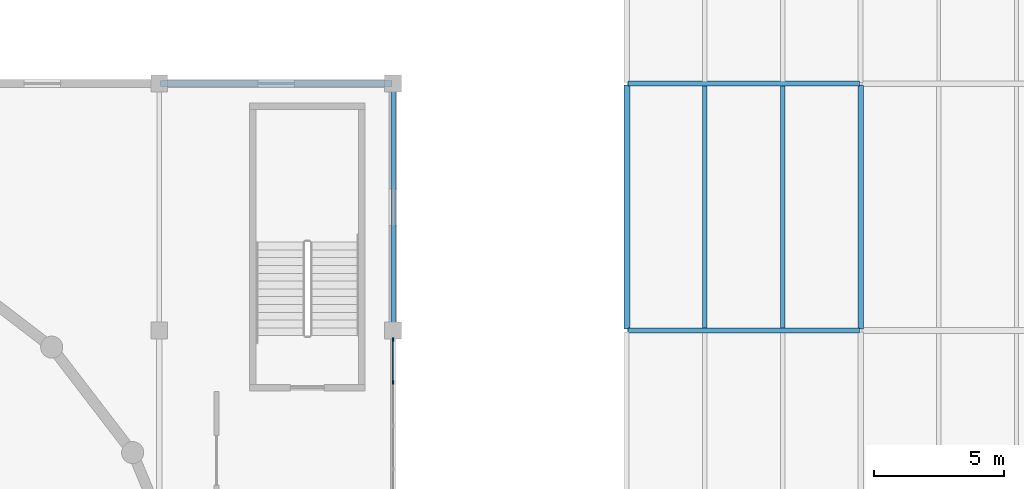
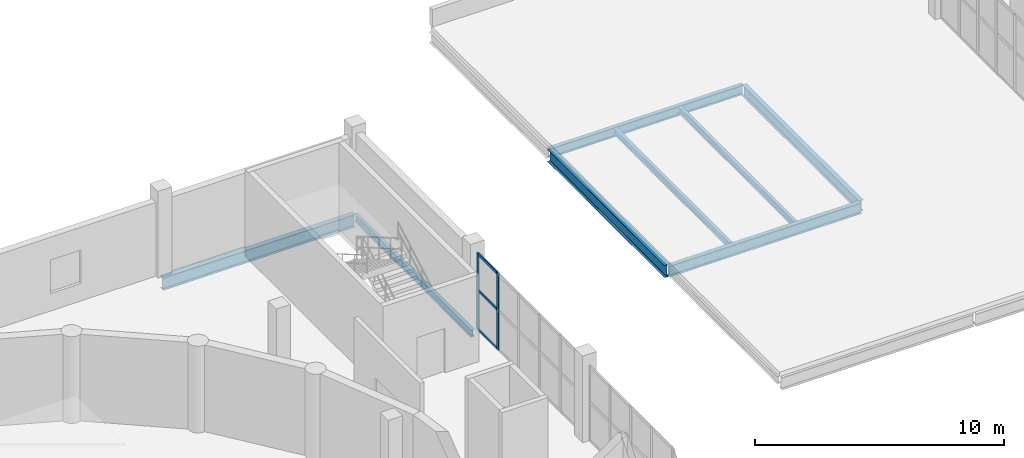
# One storey, part 26 of 54: 8 beams, 5 members, 1 element without a shape of its own.
"""IFC4 building model written with IfcOpenShell, lengths in metres."""

from ifc_helpers import new_model, si_unit, direction, frame, origin, origin_2d, place, context, subcontext, project, spatial, rectangle, i_section, extrude, material, layer, layer_set, material_profile, profile_set, type_object, element, aggregate, save


model = new_model("IFC4")

# Units and contexts
model_context = context("Model", 3, precision=1e-05, world=origin(), true_north=direction((0.0, 1.0)))
body_context = subcontext(model_context, "Body", "Model", "MODEL_VIEW")
ifc_project = project(units=[si_unit("LENGTHUNIT", "METRE"), si_unit("AREAUNIT", "SQUARE_METRE"), si_unit("VOLUMEUNIT", "CUBIC_METRE"), si_unit("PLANEANGLEUNIT", "RADIAN"), si_unit("MASSUNIT", "GRAM", prefix="KILO")], contexts=[model_context])

# Site, building, storey
site_placement = place(None, origin())
site = spatial("IfcSite", under=ifc_project, at=site_placement, CompositionType="ELEMENT")
building_placement = place(site_placement, origin())
building = spatial("IfcBuilding", under=site, at=building_placement, Name="Marnock Terrace Opera House", CompositionType="ELEMENT")
storey_placement = place(building_placement, frame((0.0, 0.0, 19.199951171875)))
storey = spatial("IfcBuildingStorey", under=building, at=storey_placement, Name="L04", CompositionType="ELEMENT", Elevation=19.199951171875)

# Beams
ifc_material_1 = material(Name="Steel Grade 350 (AS/NZS 3679.1)", Category="steel")
ifc_material_profile_1 = material_profile(ifc_material_1, i_section(OverallWidth=0.1708984375, OverallDepth=0.355712890625, WebThickness=0.00732421875, FlangeThickness=0.011474609375, FilletRadius=0.011474609375, at=origin_2d()))
ifc_profile_set_1 = profile_set([ifc_material_profile_1], Name="Steel Grade 350 (AS/NZS 3679.1)")
beam_type_1 = type_object("IfcBeamType", Name="BM-GIRD-360", PredefinedType="BEAM", material=ifc_profile_set_1)
beam_1_placement = place(storey_placement, frame((109.0, 75.050048828125, -0.427734375), z_axis=(0.0, 1.0, 0.0), x_axis=(-1.0, 0.0, 0.0)))
element("IfcBeam", 1, at=beam_1_placement, inside=storey, type_object=beam_type_1, Name="L04 girder (X=109.0, 75.0..84.5)", PredefinedType="BEAM", context=body_context, shape_type="SweptSolid", body=[
    extrude(i_section(OverallWidth=0.1708984375, OverallDepth=0.355712890625, WebThickness=0.00732421875, FlangeThickness=0.011474609375, FilletRadius=0.011474609375, at=origin_2d()), origin(), (0.0, 0.0, 1.0), 9.39990234375),
])
ifc_material_profile_2 = material_profile(ifc_material_1, i_section(OverallWidth=0.19091796875, OverallDepth=0.46044921875, WebThickness=0.010009765625, FlangeThickness=0.01611328125, FilletRadius=0.011474609375, at=origin_2d()))
ifc_profile_set_2 = profile_set([ifc_material_profile_2], Name="Steel Grade 350 (AS/NZS 3679.1)")
beam_type_2 = type_object("IfcBeamType", Name="BM-GIRD-460A", PredefinedType="BEAM", material=ifc_profile_set_2)
beam_2_placement = place(storey_placement, frame((118.050048828125, 84.5, -0.4501953125), z_axis=(1.0, 0.0, 0.0), x_axis=(0.0, 1.0, 0.0)))
element("IfcBeam", 2, at=beam_2_placement, inside=storey, type_object=beam_type_2, Name="L04 girder (118.0..127.0, Y=84.5)", PredefinedType="BEAM", context=body_context, shape_type="SweptSolid", body=[
    extrude(i_section(OverallWidth=0.19091796875, OverallDepth=0.46044921875, WebThickness=0.010009765625, FlangeThickness=0.01611328125, FilletRadius=0.011474609375, at=origin_2d()), origin(), (0.0, 0.0, 1.0), 8.89990234375),
])
ifc_material_profile_3 = material_profile(ifc_material_1, i_section(OverallWidth=0.208984375, OverallDepth=0.532958984375, WebThickness=0.01025390625, FlangeThickness=0.015625, FilletRadius=0.013916015625, at=origin_2d()))
ifc_profile_set_3 = profile_set([ifc_material_profile_3], Name="Steel Grade 350 (AS/NZS 3679.1)")
beam_type_3 = type_object("IfcBeamType", Name="BM-GIRD-530A", PredefinedType="BEAM", material=ifc_profile_set_3)
beam_3_placement = place(storey_placement, frame((118.050048828125, 75.0, -0.486572265625), z_axis=(1.0, 0.0, 0.0), x_axis=(0.0, 1.0, 0.0)))
element("IfcBeam", 3, at=beam_3_placement, inside=storey, type_object=beam_type_3, Name="L04 girder (118.0..127.0, Y=75.0)", PredefinedType="BEAM", context=body_context, shape_type="SweptSolid", body=[
    extrude(i_section(OverallWidth=0.208984375, OverallDepth=0.532958984375, WebThickness=0.01025390625, FlangeThickness=0.015625, FilletRadius=0.013916015625, at=origin_2d()), origin(), (0.0, 0.0, 1.0), 8.89990234375),
])
ifc_material_profile_4 = material_profile(ifc_material_1, i_section(OverallWidth=0.208984375, OverallDepth=0.528076171875, WebThickness=0.009521484375, FlangeThickness=0.01318359375, FilletRadius=0.013916015625, at=origin_2d()))
ifc_profile_set_4 = profile_set([ifc_material_profile_4], Name="Steel Grade 350 (AS/NZS 3679.1)")
beam_type_4 = type_object("IfcBeamType", Name="BM-GIRD-530B", PredefinedType="BEAM", material=ifc_profile_set_4)
beam_4_placement = place(storey_placement, frame((127.0, 75.050048828125, -0.48388671875), z_axis=(0.0, 1.0, 0.0), x_axis=(-1.0, 0.0, 0.0)))
element("IfcBeam", 4, at=beam_4_placement, inside=storey, type_object=beam_type_4, Name="L04 girder (X=127.0, 75.0..84.5)", PredefinedType="BEAM", context=body_context, shape_type="SweptSolid", body=[
    extrude(i_section(OverallWidth=0.208984375, OverallDepth=0.528076171875, WebThickness=0.009521484375, FlangeThickness=0.01318359375, FilletRadius=0.013916015625, at=origin_2d()), origin(), (0.0, 0.0, 1.0), 9.39990234375),
])
ifc_material_profile_5 = material_profile(ifc_material_1, i_section(OverallWidth=0.22900390625, OverallDepth=0.611572265625, WebThickness=0.011962890625, FlangeThickness=0.01953125, FilletRadius=0.013916015625, at=origin_2d()))
ifc_profile_set_5 = profile_set([ifc_material_profile_5], Name="Steel Grade 350 (AS/NZS 3679.1)")
beam_type_5 = type_object("IfcBeamType", Name="BM-GIRD-610A", PredefinedType="BEAM", material=ifc_profile_set_5)
beam_5_placement = place(storey_placement, frame((100.050048828125, 84.5, -0.5556640625), z_axis=(1.0, 0.0, 0.0), x_axis=(0.0, 1.0, 0.0)))
element("IfcBeam", 5, at=beam_5_placement, inside=storey, type_object=beam_type_5, Name="L04 girder (100.0..109.0, Y=84.5)", PredefinedType="BEAM", context=body_context, shape_type="SweptSolid", body=[
    extrude(i_section(OverallWidth=0.22900390625, OverallDepth=0.611572265625, WebThickness=0.011962890625, FlangeThickness=0.01953125, FilletRadius=0.013916015625, at=origin_2d()), origin(), (0.0, 0.0, 1.0), 8.89990234375),
])
ifc_material_profile_6 = material_profile(ifc_material_1, i_section(OverallWidth=0.22802734375, OverallDepth=0.60205078125, WebThickness=0.010498046875, FlangeThickness=0.014892578125, FilletRadius=0.013916015625, at=origin_2d()))
ifc_profile_set_6 = profile_set([ifc_material_profile_6], Name="Steel Grade 350 (AS/NZS 3679.1)")
beam_type_6 = type_object("IfcBeamType", Name="BM-GIRD-610C", PredefinedType="BEAM", material=ifc_profile_set_6)
beam_6_placement = place(storey_placement, frame((118.0, 75.050048828125, -0.52099609375), z_axis=(0.0, 1.0, 0.0), x_axis=(-1.0, 0.0, 0.0)))
element("IfcBeam", 6, at=beam_6_placement, inside=storey, type_object=beam_type_6, Name="L04 girder (X=118.0, 75.0..84.5)", PredefinedType="BEAM", context=body_context, shape_type="SweptSolid", body=[
    extrude(i_section(OverallWidth=0.22802734375, OverallDepth=0.60205078125, WebThickness=0.010498046875, FlangeThickness=0.014892578125, FilletRadius=0.013916015625, at=origin_2d()), origin(), (0.0, 0.0, 1.0), 9.39990234375),
])
ifc_material_profile_7 = material_profile(ifc_material_1, i_section(OverallWidth=0.166015625, OverallDepth=0.30712890625, WebThickness=0.006591796875, FlangeThickness=0.01171875, FilletRadius=0.011474609375, at=origin_2d()))
ifc_profile_set_7 = profile_set([ifc_material_profile_7], Name="Steel Grade 350 (AS/NZS 3679.1)")
beam_type_7 = type_object("IfcBeamType", Name="BM-JOIST-310A", PredefinedType="JOIST", material=ifc_profile_set_7)
for number, where, z_axis, x_axis, name in (
    (7, (121.0, 75.099609375, -0.37353515625), (0.0, 1.0, 0.0), (-1.0, 0.0, 0.0), "L04 secondary joist 13.9.1"),
    (8, (124.0, 75.099609375, -0.37353515625), (0.0, 1.0, 0.0), (-1.0, 0.0, 0.0), "L04 secondary joist 13.9.2"),
):
    element("IfcBeam", number, at=place(storey_placement, frame(where, z_axis=z_axis, x_axis=x_axis)), inside=storey, type_object=beam_type_7, Name=name, PredefinedType="JOIST", context=body_context, shape_type="SweptSolid", body=[
        extrude(i_section(OverallWidth=0.166015625, OverallDepth=0.30712890625, WebThickness=0.006591796875, FlangeThickness=0.01171875, FilletRadius=0.011474609375, at=origin_2d()), origin(), (0.0, 0.0, 1.0), 9.309814453125),
    ])

# Curtain wall, members
ifc_material_2 = material(Name="Anodised architectural bronze aluminium framing", Category="aluminium")
ifc_layer = layer(ifc_material_2, 0.159912109375)
ifc_layer_set = layer_set([ifc_layer], Name="Anodised architectural bronze aluminium framing")
curtain_wall_type = type_object("IfcCurtainWallType", Name="CW-DRUM-71x39", PredefinedType="NOTDEFINED", material=ifc_layer_set)
curtain_wall_placement = place(storey_placement, origin())
curtain_wall = element("IfcCurtainWall", 9, at=curtain_wall_placement, inside=storey, type_object=curtain_wall_type, Name="L04 glazed Beaux-Arts colonnade curtain wall CW-L04-V1E4", PredefinedType="NOTDEFINED")
ifc_material_profile_8 = material_profile(ifc_material_2, rectangle(XDim=0.06005859375, YDim=0.14990234375, at=origin_2d()))
ifc_profile_set_8 = profile_set([ifc_material_profile_8], Name="Anodised architectural bronze aluminium framing")
member_type_1 = type_object("IfcMemberType", Name="CWM-60x150", PredefinedType="MULLION", material=ifc_profile_set_8)
member_1_placement = place(storey_placement, frame((109.0, 73.00732421875, 0.0), z_axis=(0.0, 0.0, 1.0), x_axis=(-1.0, 0.0, 0.0)))
member_1 = element("IfcMember", 10, at=member_1_placement, type_object=member_type_1, Name="CW-76 mullion 5", PredefinedType="MULLION", context=body_context, shape_type="SweptSolid", body=[
    extrude(rectangle(XDim=0.06005859375, YDim=0.14990234375, at=origin_2d()), origin(), (0.0, 0.0, 1.0), 3.7626953125),
])
member_2_placement = place(storey_placement, frame((109.0, 74.64892578125, 0.0), z_axis=(0.0, 0.0, 1.0), x_axis=(-1.0, 0.0, 0.0)))
member_2 = element("IfcMember", 11, at=member_2_placement, type_object=member_type_1, Name="CW-76 mullion 6", PredefinedType="MULLION", context=body_context, shape_type="SweptSolid", body=[
    extrude(rectangle(XDim=0.06005859375, YDim=0.14990234375, at=origin_2d()), origin(), (0.0, 0.0, 1.0), 3.7626953125),
])
ifc_material_profile_9 = material_profile(ifc_material_2, rectangle(XDim=0.06005859375, YDim=0.1298828125, at=origin_2d()))
ifc_profile_set_9 = profile_set([ifc_material_profile_9], Name="Anodised architectural bronze aluminium framing")
member_type_2 = type_object("IfcMemberType", Name="CWT-60x130", PredefinedType="USERDEFINED", material=ifc_profile_set_9)
member_3_placement = place(storey_placement, frame((109.0, 73.037353515625, 0.030029296875), z_axis=(0.0, 1.0, 0.0), x_axis=(-1.0, 0.0, 0.0)))
member_3 = element("IfcMember", 12, at=member_3_placement, type_object=member_type_2, Name="CW-76 transom 5.1", ObjectType="TRANSOM", PredefinedType="USERDEFINED", context=body_context, shape_type="SweptSolid", body=[
    extrude(rectangle(XDim=0.06005859375, YDim=0.1298828125, at=origin_2d()), origin(), (0.0, 0.0, 1.0), 1.58154296875),
])
member_4_placement = place(storey_placement, frame((109.0, 73.037353515625, 1.95654296875), z_axis=(0.0, 1.0, 0.0), x_axis=(-1.0, 0.0, 0.0)))
member_4 = element("IfcMember", 13, at=member_4_placement, type_object=member_type_2, Name="CW-76 transom 5.2", ObjectType="TRANSOM", PredefinedType="USERDEFINED", context=body_context, shape_type="SweptSolid", body=[
    extrude(rectangle(XDim=0.06005859375, YDim=0.1298828125, at=origin_2d()), origin(), (0.0, 0.0, 1.0), 1.58154296875),
])
member_5_placement = place(storey_placement, frame((109.0, 73.037353515625, 3.732666015625), z_axis=(0.0, 1.0, 0.0), x_axis=(-1.0, 0.0, 0.0)))
member_5 = element("IfcMember", 14, at=member_5_placement, type_object=member_type_2, Name="CW-76 transom 5.3", ObjectType="TRANSOM", PredefinedType="USERDEFINED", context=body_context, shape_type="SweptSolid", body=[
    extrude(rectangle(XDim=0.06005859375, YDim=0.1298828125, at=origin_2d()), origin(), (0.0, 0.0, 1.0), 1.58154296875),
])
aggregate(curtain_wall, [member_1, member_2, member_3, member_4, member_5])

save(model, "model.ifc")
